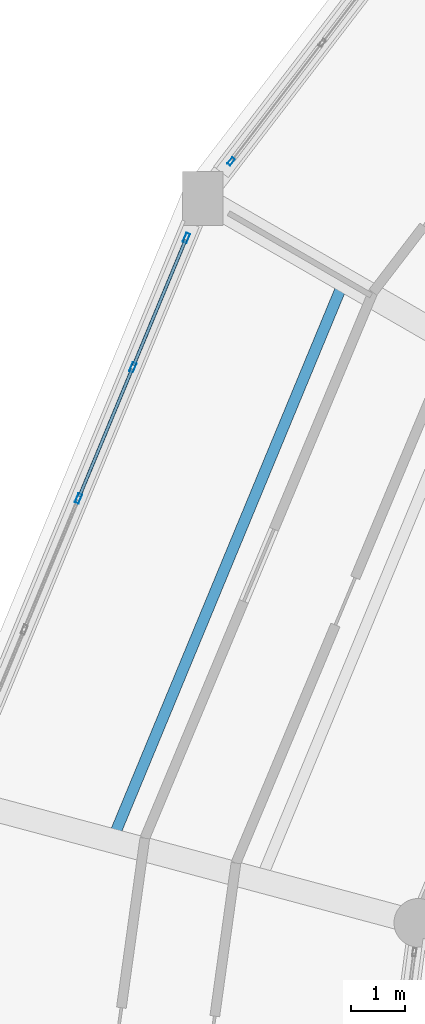
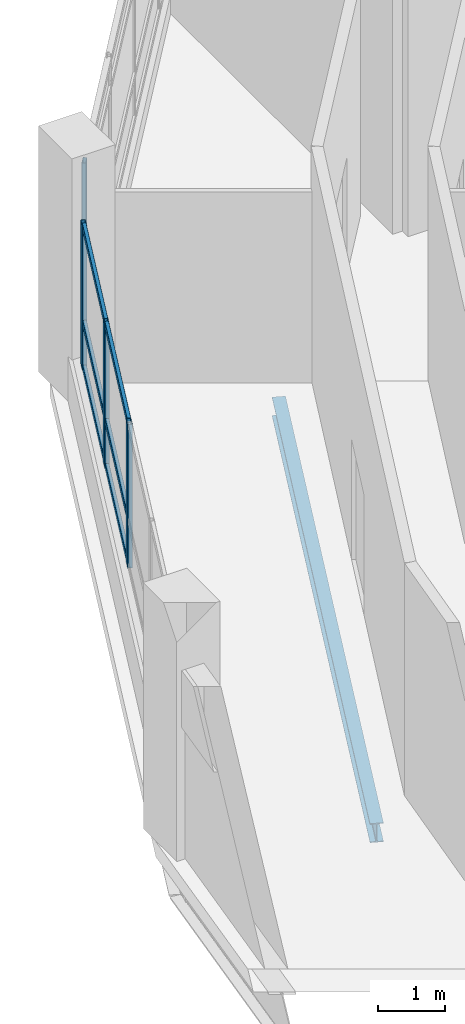
# One storey, part 48 of 129: 10 members, 1 beam, 2 elements without a shape of their own.
"""IFC4 building model written with IfcOpenShell, lengths in metres."""

from ifc_helpers import new_model, si_unit, direction, frame, origin, origin_2d, place, context, subcontext, project, spatial, hollow_rectangle, i_section, extrude, material, layer, layer_set, material_profile, profile_set, type_object, element, aggregate, save


model = new_model("IFC4")

# Units and contexts
model_context = context("Model", 3, precision=1e-05, world=origin(), true_north=direction((0.0, 1.0)))
body_context = subcontext(model_context, "Body", "Model", "MODEL_VIEW")
ifc_project = project(units=[si_unit("LENGTHUNIT", "METRE"), si_unit("AREAUNIT", "SQUARE_METRE"), si_unit("VOLUMEUNIT", "CUBIC_METRE"), si_unit("PLANEANGLEUNIT", "RADIAN"), si_unit("MASSUNIT", "GRAM", prefix="KILO")], contexts=[model_context])

# Site, building, storey
site_placement = place(None, origin())
site = spatial("IfcSite", under=ifc_project, at=site_placement, CompositionType="ELEMENT")
building_placement = place(site_placement, origin())
building = spatial("IfcBuilding", under=site, at=building_placement, Name="Vespera Passage Community Centre", CompositionType="ELEMENT")
storey_placement = place(building_placement, origin())
storey = spatial("IfcBuildingStorey", under=building, at=storey_placement, Name="L00", CompositionType="ELEMENT", Elevation=0.0)

# Beam
ifc_material_1 = material(Name="Steel ASTM A992 Grade 50", Category="steel")
ifc_material_profile_1 = material_profile(ifc_material_1, i_section(OverallWidth=0.2041015625, OverallDepth=0.3505859375, WebThickness=0.008544921875, FlangeThickness=0.01513671875, FilletRadius=0.01513671875, at=origin_2d()), Name="W14X48")
ifc_profile_set_1 = profile_set([ifc_material_profile_1], Name="Steel ASTM A992 Grade 50")
beam_type = type_object("IfcBeamType", Name="BM-J-W14X48", PredefinedType="JOIST", material=ifc_profile_set_1)
beam_placement = place(storey_placement, frame((40.69677734375, 87.037109375, -0.455322265625), z_axis=(-0.38267202562, -0.923884257257, 0.0), x_axis=(0.923884257257, -0.38267202562, 0.0)))
element("IfcBeam", 1, at=beam_placement, inside=storey, type_object=beam_type, Name="V4 L00 Floor Joist 10.2", PredefinedType="JOIST", context=body_context, shape_type="SweptSolid", body=[
    extrude(i_section(OverallWidth=0.2041015625, OverallDepth=0.3505859375, WebThickness=0.008544921875, FlangeThickness=0.01513671875, FilletRadius=0.01513671875, at=origin_2d()), origin(), (0.0, 0.0, 1.0), 11.24462890625),
])

# Curtain wall, member
ifc_material_2 = material(Name="Anodized aluminium 6063-T6", Category="aluminium")
ifc_layer_1 = layer(ifc_material_2, 0.159912109375)
ifc_layer_set_1 = layer_set([ifc_layer_1], Name="Anodized aluminium 6063-T6")
curtain_wall_type_1 = type_object("IfcCurtainWallType", Name="CW-06E", PredefinedType="NOTDEFINED", material=ifc_layer_set_1)
curtain_wall_1_placement = place(storey_placement, origin())
curtain_wall_1 = element("IfcCurtainWall", 2, at=curtain_wall_1_placement, inside=storey, type_object=curtain_wall_type_1, Name="V4 L00 Outer Ribbon Curtain Wall 9", PredefinedType="NOTDEFINED")
ifc_material_3 = material(Name="Anodized aluminium 6063-T6", Category="aluminium")
ifc_material_profile_2 = material_profile(ifc_material_3, hollow_rectangle(XDim=0.06494140625, YDim=0.14990234375, WallThickness=0.00390625, InnerFilletRadius=0.001953125, OuterFilletRadius=0.00390625, at=origin_2d()), Name="ALU150X65X4")
ifc_profile_set_2 = profile_set([ifc_material_profile_2], Name="Anodized aluminium 6063-T6")
member_type_1 = type_object("IfcMemberType", Name="MB-CWM-150E", PredefinedType="MULLION", material=ifc_profile_set_2)
member_1_placement = place(storey_placement, frame((38.601806640625, 89.235107421875, 0.35009765625), z_axis=(0.0, 0.0, 1.0), x_axis=(-0.793350429062, 0.608765222978, 0.0)))
member_1 = element("IfcMember", 3, at=member_1_placement, type_object=member_type_1, Name="CW-06E mullion 1", PredefinedType="MULLION", context=body_context, shape_type="SweptSolid", body=[
    extrude(hollow_rectangle(XDim=0.06494140625, YDim=0.14990234375, WallThickness=0.00390625, InnerFilletRadius=0.001953125, OuterFilletRadius=0.00390625, at=origin_2d()), origin(), (0.0, 0.0, 1.0), 3.095458984375),
])
aggregate(curtain_wall_1, [member_1])

# Curtain wall, members
ifc_material_4 = material(Name="Anodized aluminium 6063-T6", Category="aluminium")
ifc_layer_2 = layer(ifc_material_4, 0.159912109375)
ifc_layer_set_2 = layer_set([ifc_layer_2], Name="Anodized aluminium 6063-T6")
curtain_wall_type_2 = type_object("IfcCurtainWallType", Name="CW-08E", PredefinedType="NOTDEFINED", material=ifc_layer_set_2)
curtain_wall_2_placement = place(storey_placement, origin())
curtain_wall_2 = element("IfcCurtainWall", 4, at=curtain_wall_2_placement, inside=storey, type_object=curtain_wall_type_2, Name="V4 L00 Outer Ribbon Curtain Wall 10", PredefinedType="NOTDEFINED")
ifc_material_5 = material(Name="Anodized aluminium 6063-T6", Category="aluminium")
ifc_material_profile_3 = material_profile(ifc_material_5, hollow_rectangle(XDim=0.074951171875, YDim=0.179931640625, WallThickness=0.0048828125, InnerFilletRadius=0.00244140625, OuterFilletRadius=0.0048828125, at=origin_2d()), Name="ALU180X75X5")
ifc_profile_set_3 = profile_set([ifc_material_profile_3], Name="Anodized aluminium 6063-T6")
member_type_2 = type_object("IfcMemberType", Name="MB-CWM-180E", PredefinedType="MULLION", material=ifc_profile_set_3)
member_2_placement = place(storey_placement, frame((35.7734375, 82.99072265625, 0.820068359375), z_axis=(0.0, 0.0, 1.0), x_axis=(-0.923881309405, 0.382679142535, 0.0)))
member_2 = element("IfcMember", 5, at=member_2_placement, type_object=member_type_2, Name="CW-08E mullion 3", PredefinedType="MULLION", context=body_context, shape_type="SweptSolid", body=[
    extrude(hollow_rectangle(XDim=0.074951171875, YDim=0.179931640625, WallThickness=0.0048828125, InnerFilletRadius=0.00244140625, OuterFilletRadius=0.0048828125, at=origin_2d()), origin(), (0.0, 0.0, 1.0), 2.62548828125),
])
member_3_placement = place(storey_placement, frame((36.780029296875, 85.421142578125, 0.820068359375), z_axis=(0.0, 0.0, 1.0), x_axis=(-0.923881309405, 0.382679142535, 0.0)))
member_3 = element("IfcMember", 6, at=member_3_placement, type_object=member_type_2, Name="CW-08E mullion 4", PredefinedType="MULLION", context=body_context, shape_type="SweptSolid", body=[
    extrude(hollow_rectangle(XDim=0.074951171875, YDim=0.179931640625, WallThickness=0.0048828125, InnerFilletRadius=0.00244140625, OuterFilletRadius=0.0048828125, at=origin_2d()), origin(), (0.0, 0.0, 1.0), 2.62548828125),
])
member_4_placement = place(storey_placement, frame((37.7724609375, 87.816650390625, 0.820068359375), z_axis=(0.0, 0.0, 1.0), x_axis=(-0.923881309405, 0.382679142535, 0.0)))
member_4 = element("IfcMember", 7, at=member_4_placement, type_object=member_type_2, Name="CW-08E mullion 5", PredefinedType="MULLION", context=body_context, shape_type="SweptSolid", body=[
    extrude(hollow_rectangle(XDim=0.074951171875, YDim=0.179931640625, WallThickness=0.0048828125, InnerFilletRadius=0.00244140625, OuterFilletRadius=0.0048828125, at=origin_2d()), origin(), (0.0, 0.0, 1.0), 2.62548828125),
])
ifc_material_6 = material(Name="Anodized aluminium 6063-T6", Category="aluminium")
ifc_material_profile_4 = material_profile(ifc_material_6, hollow_rectangle(XDim=0.06005859375, YDim=0.1201171875, WallThickness=0.00390625, InnerFilletRadius=0.001953125, OuterFilletRadius=0.00390625, at=origin_2d()), Name="ALU120X60X4")
ifc_profile_set_4 = profile_set([ifc_material_profile_4], Name="Anodized aluminium 6063-T6")
member_type_3 = type_object("IfcMemberType", Name="MB-CWT-120E", PredefinedType="USERDEFINED", material=ifc_profile_set_4)
member_5_placement = place(storey_placement, frame((35.787841796875, 83.025390625, 0.85009765625), z_axis=(0.382694900027, 0.923874782367, 0.0), x_axis=(-0.923874782367, 0.382694900027, 0.0)))
member_5 = element("IfcMember", 8, at=member_5_placement, type_object=member_type_3, Name="CW-08E transom 3.1", ObjectType="TRANSOM", PredefinedType="USERDEFINED", context=body_context, shape_type="SweptSolid", body=[
    extrude(hollow_rectangle(XDim=0.06005859375, YDim=0.1201171875, WallThickness=0.00390625, InnerFilletRadius=0.001953125, OuterFilletRadius=0.00390625, at=origin_2d()), origin(), (0.0, 0.0, 1.0), 2.5556640625),
])
member_6_placement = place(storey_placement, frame((35.787841796875, 83.025390625, 1.669921875), z_axis=(0.382694900027, 0.923874782367, 0.0), x_axis=(-0.923874782367, 0.382694900027, 0.0)))
member_6 = element("IfcMember", 9, at=member_6_placement, type_object=member_type_3, Name="CW-08E transom 3.2", ObjectType="TRANSOM", PredefinedType="USERDEFINED", context=body_context, shape_type="SweptSolid", body=[
    extrude(hollow_rectangle(XDim=0.06005859375, YDim=0.1201171875, WallThickness=0.00390625, InnerFilletRadius=0.001953125, OuterFilletRadius=0.00390625, at=origin_2d()), origin(), (0.0, 0.0, 1.0), 2.5556640625),
])
member_7_placement = place(storey_placement, frame((35.787841796875, 83.025390625, 3.41552734375), z_axis=(0.382694900027, 0.923874782367, 0.0), x_axis=(-0.923874782367, 0.382694900027, 0.0)))
member_7 = element("IfcMember", 10, at=member_7_placement, type_object=member_type_3, Name="CW-08E transom 3.3", ObjectType="TRANSOM", PredefinedType="USERDEFINED", context=body_context, shape_type="SweptSolid", body=[
    extrude(hollow_rectangle(XDim=0.06005859375, YDim=0.1201171875, WallThickness=0.00390625, InnerFilletRadius=0.001953125, OuterFilletRadius=0.00390625, at=origin_2d()), origin(), (0.0, 0.0, 1.0), 2.5556640625),
])
member_8_placement = place(storey_placement, frame((36.79443359375, 85.455810546875, 0.85009765625), z_axis=(0.3826800364, 0.923880939159, 0.0), x_axis=(-0.923880939159, 0.3826800364, 0.0)))
member_8 = element("IfcMember", 11, at=member_8_placement, type_object=member_type_3, Name="CW-08E transom 4.1", ObjectType="TRANSOM", PredefinedType="USERDEFINED", context=body_context, shape_type="SweptSolid", body=[
    extrude(hollow_rectangle(XDim=0.06005859375, YDim=0.1201171875, WallThickness=0.00390625, InnerFilletRadius=0.001953125, OuterFilletRadius=0.00390625, at=origin_2d()), origin(), (0.0, 0.0, 1.0), 2.51806640625),
])
member_9_placement = place(storey_placement, frame((36.79443359375, 85.455810546875, 1.669921875), z_axis=(0.3826800364, 0.923880939159, 0.0), x_axis=(-0.923880939159, 0.3826800364, 0.0)))
member_9 = element("IfcMember", 12, at=member_9_placement, type_object=member_type_3, Name="CW-08E transom 4.2", ObjectType="TRANSOM", PredefinedType="USERDEFINED", context=body_context, shape_type="SweptSolid", body=[
    extrude(hollow_rectangle(XDim=0.06005859375, YDim=0.1201171875, WallThickness=0.00390625, InnerFilletRadius=0.001953125, OuterFilletRadius=0.00390625, at=origin_2d()), origin(), (0.0, 0.0, 1.0), 2.51806640625),
])
member_10_placement = place(storey_placement, frame((36.79443359375, 85.455810546875, 3.41552734375), z_axis=(0.3826800364, 0.923880939159, 0.0), x_axis=(-0.923880939159, 0.3826800364, 0.0)))
member_10 = element("IfcMember", 13, at=member_10_placement, type_object=member_type_3, Name="CW-08E transom 4.3", ObjectType="TRANSOM", PredefinedType="USERDEFINED", context=body_context, shape_type="SweptSolid", body=[
    extrude(hollow_rectangle(XDim=0.06005859375, YDim=0.1201171875, WallThickness=0.00390625, InnerFilletRadius=0.001953125, OuterFilletRadius=0.00390625, at=origin_2d()), origin(), (0.0, 0.0, 1.0), 2.51806640625),
])
aggregate(curtain_wall_2, [member_2, member_3, member_4, member_5, member_6, member_7, member_8, member_9, member_10])

save(model, "model.ifc")
